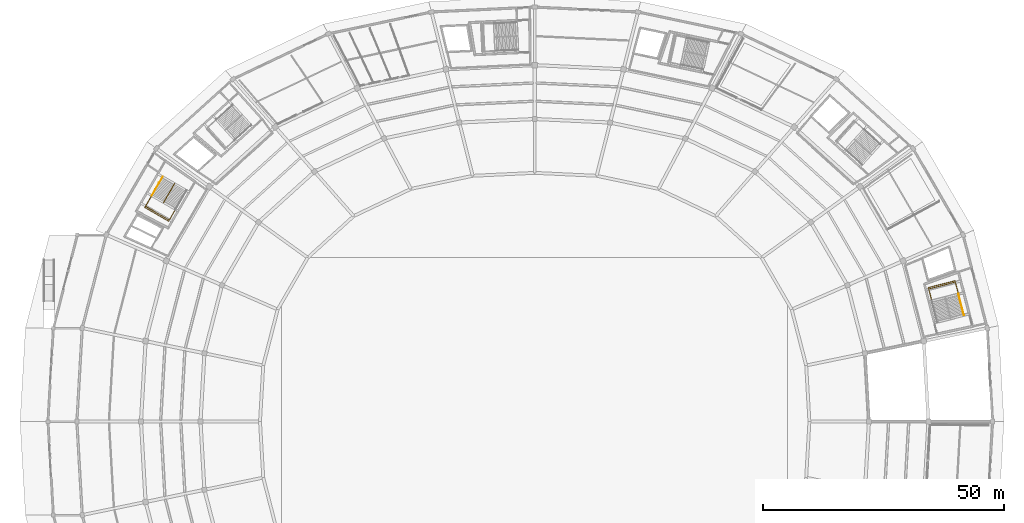
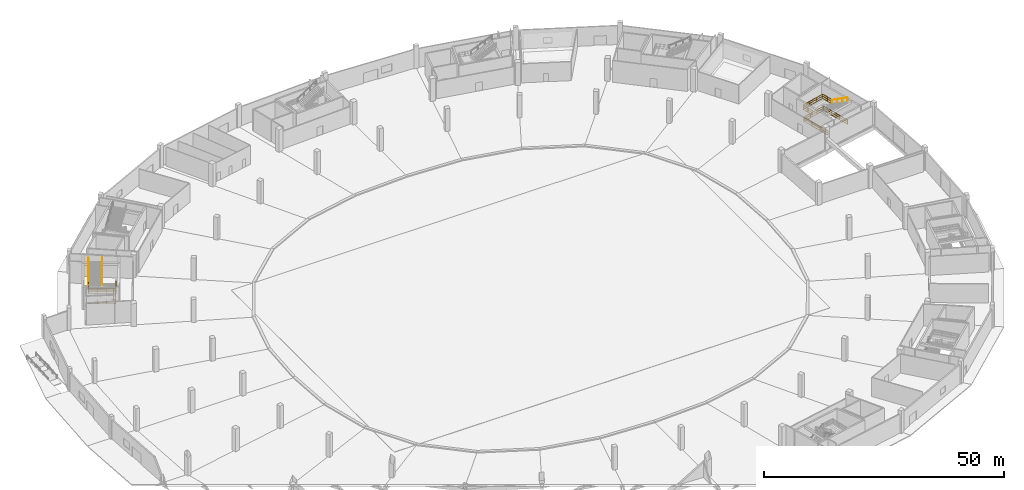
# One storey, part 46 of 48: 7 railings.
"""IFC4 building model written with IfcOpenShell, lengths in metres."""

import ifcopenshell
import ifcopenshell.guid

model = None  # the IFC model being written
_history = None  # IfcOwnerHistory: only IFC2X3 demands one
_inside = {}  # id of a spatial element -> (the spatial element, [elements in it])
_under = {}  # id of a project, library or spatial element -> (it, [spatial elements below it])
_declared = {}  # id of a project -> (the project, [libraries it declares])
_typed = {}  # id of a type object -> (the type object, [elements of that type])
_made_of = {}  # id of a material, layer set ... -> (it, [elements and type objects made of it])


def new_model(schema):
    """Start an empty IFC model of exactly this schema.

    Asked for "IFC4X3", IfcOpenShell would pick the latest addendum, in which some entities
    have other attributes; the version numbers below select the first issue.
    IFC2X3 requires an IfcOwnerHistory on every rooted entity: one is made here for all.
    """
    global model, _history
    if schema == "IFC4X3":
        model = ifcopenshell.file(schema_version=(4, 3, 0, 0))
    else:
        model = ifcopenshell.file(schema=schema)
    _inside.clear()
    _under.clear()
    _declared.clear()
    _typed.clear()
    _made_of.clear()
    _history = None
    if model.schema == "IFC2X3":
        org = make("IfcOrganization", Name="unknown")
        user = make(
            "IfcPersonAndOrganization",
            ThePerson=make("IfcPerson", FamilyName="unknown"),
            TheOrganization=org,
        )
        app = make(
            "IfcApplication",
            ApplicationDeveloper=org,
            Version="unknown",
            ApplicationFullName="unknown",
            ApplicationIdentifier="unknown",
        )
        _history = make(
            "IfcOwnerHistory",
            OwningUser=user,
            OwningApplication=app,
            ChangeAction="ADDED",
            CreationDate=0,
        )
    return model


def make(cls, **values):
    """One entity of the class cls with the attributes given. An attribute that is None is left unset."""
    return model.create_entity(
        cls, **{name: value for name, value in values.items() if value is not None}
    )


def rooted(cls, **values):
    """An entity with a GlobalId (a new one), such as an element, a storey or a relation."""
    return make(cls, GlobalId=ifcopenshell.guid.new(), OwnerHistory=_history, **values)


def si_unit(unit_type, name, prefix=None):
    """IfcSIUnit, for example si_unit("LENGTHUNIT", "METRE", prefix="MILLI")."""
    return make("IfcSIUnit", UnitType=unit_type, Prefix=prefix, Name=name)


def assignment(units):
    """IfcUnitAssignment: the units of a project."""
    return None if units is None else make("IfcUnitAssignment", Units=units)


def point(xyz):
    """IfcCartesianPoint."""
    return None if xyz is None else make("IfcCartesianPoint", Coordinates=xyz)


def direction(xyz):
    """IfcDirection."""
    return None if xyz is None else make("IfcDirection", DirectionRatios=xyz)


def frame(location, z_axis=None, x_axis=None):
    """IfcAxis2Placement3D, a coordinate frame: its origin and axes. An axis left out is left unset."""
    return make(
        "IfcAxis2Placement3D",
        Location=point(location),
        Axis=direction(z_axis),
        RefDirection=direction(x_axis),
    )


def frame_2d(location, x_axis=None):
    """IfcAxis2Placement2D, a coordinate frame in the plane: its origin and x axis."""
    return make(
        "IfcAxis2Placement2D", Location=point(location), RefDirection=direction(x_axis)
    )


def origin():
    """The frame at (0, 0, 0) with its axes left unset."""
    return frame((0.0, 0.0, 0.0))


def origin_2d():
    """The frame at (0, 0) in the plane with its x axis left unset."""
    return frame_2d((0.0, 0.0))


def place(relative_to, where):
    """IfcLocalPlacement: puts the frame where relative to a parent placement (None: the world)."""
    return make(
        "IfcLocalPlacement", PlacementRelTo=relative_to, RelativePlacement=where
    )


def context(
    kind, dimensions, precision=None, world=None, true_north=None, identifier=None
):
    """IfcGeometricRepresentationContext, for example the 3D "Model" context."""
    return make(
        "IfcGeometricRepresentationContext",
        ContextIdentifier=identifier,
        ContextType=kind,
        CoordinateSpaceDimension=dimensions,
        Precision=precision,
        WorldCoordinateSystem=world,
        TrueNorth=true_north,
    )


def subcontext(parent, identifier, kind, view, scale=None):
    """IfcGeometricRepresentationSubContext, for example "Body" below "Model"."""
    return make(
        "IfcGeometricRepresentationSubContext",
        ContextIdentifier=identifier,
        ContextType=kind,
        ParentContext=parent,
        TargetScale=scale,
        TargetView=view,
    )


def project(units=None, contexts=None):
    """IfcProject with its units and contexts."""
    return rooted(
        "IfcProject",
        Name="project",
        RepresentationContexts=contexts,
        UnitsInContext=assignment(units),
    )


def spatial(cls, under=None, at=None, **own):
    """A site, building, storey or space (cls), placed at a placement, below another one or the project."""
    s = rooted(cls, ObjectPlacement=at, **own)
    if under is not None:
        _under.setdefault(under.id(), (under, []))[1].append(s)
    return s


def profile(cls, at=None, kind="AREA", **sizes):
    """A parametric profile (cls). Its sizes go by their IFC names, for example OverallWidth=200.0."""
    return make(cls, ProfileType=kind, Position=at, **sizes)


def rectangle(**sizes):
    """IfcRectangleProfileDef."""
    return profile("IfcRectangleProfileDef", **sizes)


def extrude(swept, where, along, depth):
    """IfcExtrudedAreaSolid: the profile swept, set in the frame where, extruded along a direction by depth."""
    return make(
        "IfcExtrudedAreaSolid",
        SweptArea=swept,
        Position=where,
        ExtrudedDirection=direction(along),
        Depth=depth,
    )


def shape(context_of_items, identifier, shape_type, items):
    """IfcShapeRepresentation: the items that make up one representation, for example the "Body"."""
    return make(
        "IfcShapeRepresentation",
        ContextOfItems=context_of_items,
        RepresentationIdentifier=identifier,
        RepresentationType=shape_type,
        Items=items,
    )


def material(Name=None, Category=None):
    """IfcMaterial."""
    return make("IfcMaterial", Name=Name, Category=Category)


def made_of(thing, what):
    """Note that an element or type object is made of a material, layer set ...; save() writes the relation."""
    if what is not None:
        _made_of.setdefault(what.id(), (what, []))[1].append(thing)
    return thing


def type_object(cls, material=None, **own):
    """A type object (cls), such as IfcWallType, which elements share."""
    return made_of(rooted(cls, **own), material)


def element(
    cls,
    number,
    at=None,
    inside=None,
    cuts=None,
    type_object=None,
    material=None,
    context=None,
    identifier="Body",
    shape_type=None,
    held_by="IfcProductDefinitionShape",
    body=None,
    shapes=None,
    **own,
):
    """One element of the class cls, such as IfcWall. Its Tag is "e" and its number.

    at: its placement. inside: the storey or other place that contains it. cuts: it is an
    opening in that element (IfcRelVoidsElement). A single representation is given by context,
    identifier, shape_type and body (its items); several are given by shapes. held_by: the class
    of the entity that holds the representations. save() writes the other relations.
    """
    e = rooted(cls, Tag="e%d" % number, ObjectPlacement=at, **own)
    if body is not None:
        shapes = [shape(context, identifier, shape_type, body)]
    if shapes is not None:
        e.Representation = make(held_by, Representations=shapes)
    if inside is not None:
        _inside.setdefault(inside.id(), (inside, []))[1].append(e)
    if cuts is not None:
        rooted(
            "IfcRelVoidsElement", RelatingBuildingElement=cuts, RelatedOpeningElement=e
        )
    if type_object is not None:
        _typed.setdefault(type_object.id(), (type_object, []))[1].append(e)
    return made_of(e, material)


def aggregate(whole, parts):
    """IfcRelAggregates: a whole, such as a stair, and the parts it consists of."""
    return rooted("IfcRelAggregates", RelatingObject=whole, RelatedObjects=parts)


def save(model, path):
    """Write the relations noted so far, then the file.

    IfcRelAggregates (storeys below a building ...), IfcRelContainedInSpatialStructure (elements
    in a storey), IfcRelDefinesByType, IfcRelAssociatesMaterial and IfcRelDeclares: one each for
    every whole, place, type object, material and project.
    """
    for whole, parts in _under.values():
        aggregate(whole, parts)
    for where, things in _inside.values():
        rooted(
            "IfcRelContainedInSpatialStructure",
            RelatedElements=things,
            RelatingStructure=where,
        )
    for kind, things in _typed.values():
        rooted("IfcRelDefinesByType", RelatedObjects=things, RelatingType=kind)
    for what, things in _made_of.values():
        rooted("IfcRelAssociatesMaterial", RelatedObjects=things, RelatingMaterial=what)
    for by, libraries in _declared.values():
        rooted("IfcRelDeclares", RelatingContext=by, RelatedDefinitions=libraries)
    model.write(path)


model = new_model("IFC4")

# Units and contexts
model_context = context("Model", 3, precision=1e-05, world=origin(), true_north=direction((0.0, 1.0)))
body_context = subcontext(model_context, "Body", "Model", "MODEL_VIEW")
ifc_project = project(units=[si_unit("LENGTHUNIT", "METRE"), si_unit("AREAUNIT", "SQUARE_METRE"), si_unit("VOLUMEUNIT", "CUBIC_METRE"), si_unit("PLANEANGLEUNIT", "RADIAN"), si_unit("MASSUNIT", "GRAM", prefix="KILO")], contexts=[model_context])

# Site, building, storey
site_placement = place(None, origin())
site = spatial("IfcSite", under=ifc_project, at=site_placement, CompositionType="ELEMENT")
building_placement = place(site_placement, origin())
building = spatial("IfcBuilding", under=site, at=building_placement, Name="Kazemori Nagisa Stadium", CompositionType="ELEMENT")
storey_placement = place(building_placement, origin())
storey = spatial("IfcBuildingStorey", under=building, at=storey_placement, Name="L00", CompositionType="ELEMENT", Elevation=0.0)

# Railings
ifc_material_1 = material(Name="Galvanised powder-coated steel", Category="steel")
railing_type_1 = type_object("IfcRailingType", Name="Rail_GUARD", PredefinedType="GUARDRAIL", material=ifc_material_1)
railing_1_placement = place(storey_placement, frame((206.533447265625, 122.641357421875, 0.0)))
element("IfcRailing", 1, at=railing_1_placement, inside=storey, type_object=railing_type_1, Name="Stair well perimeter guard ST07-L00", PredefinedType="GUARDRAIL", context=body_context, shape_type="SweptSolid", body=[
    extrude(rectangle(XDim=0.050048828125, YDim=0.050048828125, at=origin_2d()), frame((0.0, 0.0, 1.09521484375), z_axis=(-0.249952947759, 0.968257984169, 0.0), x_axis=(-0.968257984169, -0.249952947759, 0.0)), (0.0, 0.0, 1.0), 7.094970703125),
    extrude(rectangle(XDim=0.03759765625, YDim=0.03759765625, at=origin_2d()), frame((0.0, 0.0, 0.58251953125), z_axis=(-0.249952947759, 0.968257984169, 0.0), x_axis=(-0.968257984169, -0.249952947759, 0.0)), (0.0, 0.0, 1.0), 7.094970703125),
    extrude(rectangle(XDim=0.03759765625, YDim=0.03759765625, at=origin_2d()), frame((0.0, 0.0, 0.02490234375), z_axis=(-0.249952947759, 0.968257984169, 0.0), x_axis=(-0.968257984169, -0.249952947759, 0.0)), (0.0, 0.0, 1.0), 7.094970703125),
    extrude(rectangle(XDim=0.050048828125, YDim=0.050048828125, at=origin_2d()), frame((-1.7734375, 6.869873046875, 1.09521484375), z_axis=(0.968254587534, 0.249966105142, 0.0), x_axis=(-0.249966105142, 0.968254587534, 0.0)), (0.0, 0.0, 1.0), 5.699951171875),
    extrude(rectangle(XDim=0.03759765625, YDim=0.03759765625, at=origin_2d()), frame((-1.7734375, 6.869873046875, 0.58251953125), z_axis=(0.968254587534, 0.249966105142, 0.0), x_axis=(-0.249966105142, 0.968254587534, 0.0)), (0.0, 0.0, 1.0), 5.699951171875),
    extrude(rectangle(XDim=0.03759765625, YDim=0.03759765625, at=origin_2d()), frame((-1.7734375, 6.869873046875, 0.02490234375), z_axis=(0.968254587534, 0.249966105142, 0.0), x_axis=(-0.249966105142, 0.968254587534, 0.0)), (0.0, 0.0, 1.0), 5.699951171875),
    extrude(rectangle(XDim=0.050048828125, YDim=0.050048828125, at=origin_2d()), frame((3.74560546875, 8.294677734375, 1.09521484375), z_axis=(0.249952947759, -0.968257984169, 0.0), x_axis=(0.968257984169, 0.249952947759, 0.0)), (0.0, 0.0, 1.0), 7.094970703125),
    extrude(rectangle(XDim=0.03759765625, YDim=0.03759765625, at=origin_2d()), frame((3.74560546875, 8.294677734375, 0.58251953125), z_axis=(0.249952947759, -0.968257984169, 0.0), x_axis=(0.968257984169, 0.249952947759, 0.0)), (0.0, 0.0, 1.0), 7.094970703125),
    extrude(rectangle(XDim=0.03759765625, YDim=0.03759765625, at=origin_2d()), frame((3.74560546875, 8.294677734375, 0.02490234375), z_axis=(0.249952947759, -0.968257984169, 0.0), x_axis=(0.968257984169, 0.249952947759, 0.0)), (0.0, 0.0, 1.0), 7.094970703125),
    extrude(rectangle(XDim=0.044921875, YDim=0.044921875, at=origin_2d()), origin(), (0.0, 0.0, 1.0), 1.070068359375),
    extrude(rectangle(XDim=0.044921875, YDim=0.044921875, at=origin_2d()), frame((-0.591064453125, 2.2900390625, 0.0)), (0.0, 0.0, 1.0), 1.070068359375),
    extrude(rectangle(XDim=0.044921875, YDim=0.044921875, at=origin_2d()), frame((-1.182373046875, 4.579833984375, 0.0)), (0.0, 0.0, 1.0), 1.070068359375),
    extrude(rectangle(XDim=0.044921875, YDim=0.044921875, at=origin_2d()), frame((-1.7734375, 6.869873046875, 0.0)), (0.0, 0.0, 1.0), 1.070068359375),
    extrude(rectangle(XDim=0.044921875, YDim=0.044921875, at=origin_2d()), frame((0.066162109375, 7.3447265625, 0.0)), (0.0, 0.0, 1.0), 1.070068359375),
    extrude(rectangle(XDim=0.044921875, YDim=0.044921875, at=origin_2d()), frame((1.906005859375, 7.81982421875, 0.0)), (0.0, 0.0, 1.0), 1.070068359375),
    extrude(rectangle(XDim=0.044921875, YDim=0.044921875, at=origin_2d()), frame((3.74560546875, 8.294677734375, 0.0)), (0.0, 0.0, 1.0), 1.070068359375),
    extrude(rectangle(XDim=0.044921875, YDim=0.044921875, at=origin_2d()), frame((4.336669921875, 6.004638671875, 0.0)), (0.0, 0.0, 1.0), 1.070068359375),
    extrude(rectangle(XDim=0.044921875, YDim=0.044921875, at=origin_2d()), frame((4.927978515625, 3.71484375, 0.0)), (0.0, 0.0, 1.0), 1.070068359375),
    extrude(rectangle(XDim=0.044921875, YDim=0.044921875, at=origin_2d()), frame((5.51904296875, 1.4248046875, 0.0)), (0.0, 0.0, 1.0), 1.070068359375),
])
railing_2_placement = place(storey_placement, frame((205.401123046875, 127.027587890625, 2.889892578125)))
element("IfcRailing", 2, at=railing_2_placement, inside=storey, type_object=railing_type_1, Name="Stair landing guard ST07-L00", PredefinedType="GUARDRAIL", context=body_context, shape_type="SweptSolid", body=[
    extrude(rectangle(XDim=0.050048828125, YDim=0.050048828125, at=origin_2d()), frame((0.0, 0.0, 1.09521484375), z_axis=(-0.249966105142, 0.968254587534, 0.0), x_axis=(-0.968254587534, -0.249966105142, 0.0)), (0.0, 0.0, 1.0), 2.85009765625),
    extrude(rectangle(XDim=0.03759765625, YDim=0.03759765625, at=origin_2d()), frame((0.0, 0.0, 0.58251953125), z_axis=(-0.249966105142, 0.968254587534, 0.0), x_axis=(-0.968254587534, -0.249966105142, 0.0)), (0.0, 0.0, 1.0), 2.85009765625),
    extrude(rectangle(XDim=0.03759765625, YDim=0.03759765625, at=origin_2d()), frame((0.0, 0.0, 0.02490234375), z_axis=(-0.249966105142, 0.968254587534, 0.0), x_axis=(-0.968254587534, -0.249966105142, 0.0)), (0.0, 0.0, 1.0), 2.85009765625),
    extrude(rectangle(XDim=0.050048828125, YDim=0.050048828125, at=origin_2d()), frame((-0.71240234375, 2.759521484375, 1.09521484375), z_axis=(0.968254587534, 0.249966105142, 0.0), x_axis=(-0.249966105142, 0.968254587534, 0.0)), (0.0, 0.0, 1.0), 5.699951171875),
    extrude(rectangle(XDim=0.03759765625, YDim=0.03759765625, at=origin_2d()), frame((-0.71240234375, 2.759521484375, 0.58251953125), z_axis=(0.968254587534, 0.249966105142, 0.0), x_axis=(-0.249966105142, 0.968254587534, 0.0)), (0.0, 0.0, 1.0), 5.699951171875),
    extrude(rectangle(XDim=0.03759765625, YDim=0.03759765625, at=origin_2d()), frame((-0.71240234375, 2.759521484375, 0.02490234375), z_axis=(0.968254587534, 0.249966105142, 0.0), x_axis=(-0.249966105142, 0.968254587534, 0.0)), (0.0, 0.0, 1.0), 5.699951171875),
    extrude(rectangle(XDim=0.050048828125, YDim=0.050048828125, at=origin_2d()), frame((4.806640625, 4.184326171875, 1.09521484375), z_axis=(0.249966105142, -0.968254587534, 0.0), x_axis=(0.968254587534, 0.249966105142, 0.0)), (0.0, 0.0, 1.0), 2.85009765625),
    extrude(rectangle(XDim=0.03759765625, YDim=0.03759765625, at=origin_2d()), frame((4.806640625, 4.184326171875, 0.58251953125), z_axis=(0.249966105142, -0.968254587534, 0.0), x_axis=(0.968254587534, 0.249966105142, 0.0)), (0.0, 0.0, 1.0), 2.85009765625),
    extrude(rectangle(XDim=0.03759765625, YDim=0.03759765625, at=origin_2d()), frame((4.806640625, 4.184326171875, 0.02490234375), z_axis=(0.249966105142, -0.968254587534, 0.0), x_axis=(0.968254587534, 0.249966105142, 0.0)), (0.0, 0.0, 1.0), 2.85009765625),
    extrude(rectangle(XDim=0.044921875, YDim=0.044921875, at=origin_2d()), origin(), (0.0, 0.0, 1.0), 1.070068359375),
    extrude(rectangle(XDim=0.044921875, YDim=0.044921875, at=origin_2d()), frame((-0.356201171875, 1.3798828125, 0.0)), (0.0, 0.0, 1.0), 1.070068359375),
    extrude(rectangle(XDim=0.044921875, YDim=0.044921875, at=origin_2d()), frame((-0.71240234375, 2.759521484375, 0.0)), (0.0, 0.0, 1.0), 1.070068359375),
    extrude(rectangle(XDim=0.044921875, YDim=0.044921875, at=origin_2d()), frame((1.127197265625, 3.234375, 0.0)), (0.0, 0.0, 1.0), 1.070068359375),
    extrude(rectangle(XDim=0.044921875, YDim=0.044921875, at=origin_2d()), frame((2.967041015625, 3.70947265625, 0.0)), (0.0, 0.0, 1.0), 1.070068359375),
    extrude(rectangle(XDim=0.044921875, YDim=0.044921875, at=origin_2d()), frame((4.806640625, 4.184326171875, 0.0)), (0.0, 0.0, 1.0), 1.070068359375),
    extrude(rectangle(XDim=0.044921875, YDim=0.044921875, at=origin_2d()), frame((5.162841796875, 2.8046875, 0.0)), (0.0, 0.0, 1.0), 1.070068359375),
    extrude(rectangle(XDim=0.044921875, YDim=0.044921875, at=origin_2d()), frame((5.51904296875, 1.4248046875, 0.0)), (0.0, 0.0, 1.0), 1.070068359375),
])
railing_3_placement = place(storey_placement, frame((50.736083984375, 149.940673828125, 0.0)))
element("IfcRailing", 3, at=railing_3_placement, inside=storey, type_object=railing_type_1, Name="Stair well perimeter guard ST08-L00", PredefinedType="GUARDRAIL", context=body_context, shape_type="SweptSolid", body=[
    extrude(rectangle(XDim=0.050048828125, YDim=0.050048828125, at=origin_2d()), frame((0.0, 0.0, 1.09521484375), z_axis=(-0.501595007813, -0.865102565097, 0.0), x_axis=(0.865102565097, -0.501595007813, 0.0)), (0.0, 0.0, 1.0), 7.094970703125),
    extrude(rectangle(XDim=0.03759765625, YDim=0.03759765625, at=origin_2d()), frame((0.0, 0.0, 0.58251953125), z_axis=(-0.501595007813, -0.865102565097, 0.0), x_axis=(0.865102565097, -0.501595007813, 0.0)), (0.0, 0.0, 1.0), 7.094970703125),
    extrude(rectangle(XDim=0.03759765625, YDim=0.03759765625, at=origin_2d()), frame((0.0, 0.0, 0.02490234375), z_axis=(-0.501595007813, -0.865102565097, 0.0), x_axis=(0.865102565097, -0.501595007813, 0.0)), (0.0, 0.0, 1.0), 7.094970703125),
    extrude(rectangle(XDim=0.050048828125, YDim=0.050048828125, at=origin_2d()), frame((-3.558837890625, -6.137939453125, 1.09521484375), z_axis=(-0.865102561401, 0.501595014188, 0.0), x_axis=(-0.501595014188, -0.865102561401, 0.0)), (0.0, 0.0, 1.0), 5.7001953125),
    extrude(rectangle(XDim=0.03759765625, YDim=0.03759765625, at=origin_2d()), frame((-3.558837890625, -6.137939453125, 0.58251953125), z_axis=(-0.865102561401, 0.501595014188, 0.0), x_axis=(-0.501595014188, -0.865102561401, 0.0)), (0.0, 0.0, 1.0), 5.7001953125),
    extrude(rectangle(XDim=0.03759765625, YDim=0.03759765625, at=origin_2d()), frame((-3.558837890625, -6.137939453125, 0.02490234375), z_axis=(-0.865102561401, 0.501595014188, 0.0), x_axis=(-0.501595014188, -0.865102561401, 0.0)), (0.0, 0.0, 1.0), 5.7001953125),
    extrude(rectangle(XDim=0.050048828125, YDim=0.050048828125, at=origin_2d()), frame((-8.489990234375, -3.27880859375, 1.09521484375), z_axis=(0.501620759697, 0.865087633388, 0.0), x_axis=(-0.865087633388, 0.501620759697, 0.0)), (0.0, 0.0, 1.0), 7.09521484375),
    extrude(rectangle(XDim=0.03759765625, YDim=0.03759765625, at=origin_2d()), frame((-8.489990234375, -3.27880859375, 0.58251953125), z_axis=(0.501620759697, 0.865087633388, 0.0), x_axis=(-0.865087633388, 0.501620759697, 0.0)), (0.0, 0.0, 1.0), 7.09521484375),
    extrude(rectangle(XDim=0.03759765625, YDim=0.03759765625, at=origin_2d()), frame((-8.489990234375, -3.27880859375, 0.02490234375), z_axis=(0.501620759697, 0.865087633388, 0.0), x_axis=(-0.865087633388, 0.501620759697, 0.0)), (0.0, 0.0, 1.0), 7.09521484375),
    extrude(rectangle(XDim=0.044921875, YDim=0.044921875, at=origin_2d()), origin(), (0.0, 0.0, 1.0), 1.070068359375),
    extrude(rectangle(XDim=0.044921875, YDim=0.044921875, at=origin_2d()), frame((-1.186279296875, -2.0458984375, 0.0)), (0.0, 0.0, 1.0), 1.070068359375),
    extrude(rectangle(XDim=0.044921875, YDim=0.044921875, at=origin_2d()), frame((-2.37255859375, -4.092041015625, 0.0)), (0.0, 0.0, 1.0), 1.070068359375),
    extrude(rectangle(XDim=0.044921875, YDim=0.044921875, at=origin_2d()), frame((-3.558837890625, -6.137939453125, 0.0)), (0.0, 0.0, 1.0), 1.070068359375),
    extrude(rectangle(XDim=0.044921875, YDim=0.044921875, at=origin_2d()), frame((-5.20263671875, -5.184814453125, 0.0)), (0.0, 0.0, 1.0), 1.070068359375),
    extrude(rectangle(XDim=0.044921875, YDim=0.044921875, at=origin_2d()), frame((-6.84619140625, -4.23193359375, 0.0)), (0.0, 0.0, 1.0), 1.070068359375),
    extrude(rectangle(XDim=0.044921875, YDim=0.044921875, at=origin_2d()), frame((-8.489990234375, -3.27880859375, 0.0)), (0.0, 0.0, 1.0), 1.070068359375),
    extrude(rectangle(XDim=0.044921875, YDim=0.044921875, at=origin_2d()), frame((-7.3037109375, -1.23291015625, 0.0)), (0.0, 0.0, 1.0), 1.070068359375),
    extrude(rectangle(XDim=0.044921875, YDim=0.044921875, at=origin_2d()), frame((-6.1171875, 0.813232421875, 0.0)), (0.0, 0.0, 1.0), 1.070068359375),
    extrude(rectangle(XDim=0.044921875, YDim=0.044921875, at=origin_2d()), frame((-4.930908203125, 2.859130859375, 0.0)), (0.0, 0.0, 1.0), 1.070068359375),
])
railing_4_placement = place(storey_placement, frame((48.310791015625, 151.439453125, 0.0)))
element("IfcRailing", 4, at=railing_4_placement, inside=storey, type_object=railing_type_1, Name="Stair central guard ST08-L00", PredefinedType="GUARDRAIL", context=body_context, shape_type="SweptSolid", body=[
    extrude(rectangle(XDim=0.050048828125, YDim=0.050048828125, at=origin_2d()), frame((0.0, 0.0, 1.09521484375), z_axis=(-0.425006306953, -0.732992296282, 0.53112327443), x_axis=(0.865097373395, -0.501603961851, 0.0)), (0.0, 0.0, 1.0), 5.441162109375),
    extrude(rectangle(XDim=0.03759765625, YDim=0.03759765625, at=origin_2d()), frame((0.0, 0.0, 0.58251953125), z_axis=(-0.425006306953, -0.732992296282, 0.53112327443), x_axis=(0.865097373395, -0.501603961851, 0.0)), (0.0, 0.0, 1.0), 5.441162109375),
    extrude(rectangle(XDim=0.03759765625, YDim=0.03759765625, at=origin_2d()), frame((0.0, 0.0, 0.02490234375), z_axis=(-0.425006306953, -0.732992296282, 0.53112327443), x_axis=(0.865097373395, -0.501603961851, 0.0)), (0.0, 0.0, 1.0), 5.441162109375),
    extrude(rectangle(XDim=0.050048828125, YDim=0.050048828125, at=origin_2d()), frame((-2.3125, -3.98828125, 3.98486328125), z_axis=(0.422859752865, 0.729316079616, 0.537854706609), x_axis=(-0.865105092449, 0.501590648855, 0.0)), (0.0, 0.0, 1.0), 5.37353515625),
    extrude(rectangle(XDim=0.03759765625, YDim=0.03759765625, at=origin_2d()), frame((-2.3125, -3.98828125, 3.472412109375), z_axis=(0.422859752865, 0.729316079616, 0.537854706609), x_axis=(-0.865105092449, 0.501590648855, 0.0)), (0.0, 0.0, 1.0), 5.37353515625),
    extrude(rectangle(XDim=0.03759765625, YDim=0.03759765625, at=origin_2d()), frame((-2.3125, -3.98828125, 2.9150390625), z_axis=(0.422859752865, 0.729316079616, 0.537854706609), x_axis=(-0.865105092449, 0.501590648855, 0.0)), (0.0, 0.0, 1.0), 5.37353515625),
    extrude(rectangle(XDim=0.044921875, YDim=0.044921875, at=origin_2d()), origin(), (0.0, 0.0, 1.0), 1.070068359375),
    extrude(rectangle(XDim=0.044921875, YDim=0.044921875, at=origin_2d()), frame((-0.770751953125, -1.329345703125, 0.96337890625)), (0.0, 0.0, 1.0), 1.070068359375),
    extrude(rectangle(XDim=0.044921875, YDim=0.044921875, at=origin_2d()), frame((-1.541748046875, -2.658935546875, 1.926513671875)), (0.0, 0.0, 1.0), 1.070068359375),
    extrude(rectangle(XDim=0.044921875, YDim=0.044921875, at=origin_2d()), frame((-2.3125, -3.98828125, 2.889892578125)), (0.0, 0.0, 1.0), 1.070068359375),
    extrude(rectangle(XDim=0.044921875, YDim=0.044921875, at=origin_2d()), frame((-1.55517578125, -2.681884765625, 3.853271484375)), (0.0, 0.0, 1.0), 1.070068359375),
    extrude(rectangle(XDim=0.044921875, YDim=0.044921875, at=origin_2d()), frame((-0.797607421875, -1.375732421875, 4.816650390625)), (0.0, 0.0, 1.0), 1.070068359375),
    extrude(rectangle(XDim=0.044921875, YDim=0.044921875, at=origin_2d()), frame((-0.040283203125, -0.0693359375, 5.780029296875)), (0.0, 0.0, 1.0), 1.070068359375),
])
railing_5_placement = place(storey_placement, frame((48.4638671875, 146.021728515625, 2.889892578125)))
element("IfcRailing", 5, at=railing_5_placement, inside=storey, type_object=railing_type_1, Name="Stair landing guard ST08-L00", PredefinedType="GUARDRAIL", context=body_context, shape_type="SweptSolid", body=[
    extrude(rectangle(XDim=0.050048828125, YDim=0.050048828125, at=origin_2d()), frame((0.0, 0.0, 1.09521484375), z_axis=(-0.501627068055, -0.865083975458, 0.0), x_axis=(0.865083975458, -0.501627068055, 0.0)), (0.0, 0.0, 1.0), 2.85009765625),
    extrude(rectangle(XDim=0.03759765625, YDim=0.03759765625, at=origin_2d()), frame((0.0, 0.0, 0.58251953125), z_axis=(-0.501627068055, -0.865083975458, 0.0), x_axis=(0.865083975458, -0.501627068055, 0.0)), (0.0, 0.0, 1.0), 2.85009765625),
    extrude(rectangle(XDim=0.03759765625, YDim=0.03759765625, at=origin_2d()), frame((0.0, 0.0, 0.02490234375), z_axis=(-0.501627068055, -0.865083975458, 0.0), x_axis=(0.865083975458, -0.501627068055, 0.0)), (0.0, 0.0, 1.0), 2.85009765625),
    extrude(rectangle(XDim=0.050048828125, YDim=0.050048828125, at=origin_2d()), frame((-1.4296875, -2.465576171875, 1.09521484375), z_axis=(-0.865091784601, 0.501613600508, 0.0), x_axis=(-0.501613600508, -0.865091784601, 0.0)), (0.0, 0.0, 1.0), 5.699951171875),
    extrude(rectangle(XDim=0.03759765625, YDim=0.03759765625, at=origin_2d()), frame((-1.4296875, -2.465576171875, 0.58251953125), z_axis=(-0.865091784601, 0.501613600508, 0.0), x_axis=(-0.501613600508, -0.865091784601, 0.0)), (0.0, 0.0, 1.0), 5.699951171875),
    extrude(rectangle(XDim=0.03759765625, YDim=0.03759765625, at=origin_2d()), frame((-1.4296875, -2.465576171875, 0.02490234375), z_axis=(-0.865091784601, 0.501613600508, 0.0), x_axis=(-0.501613600508, -0.865091784601, 0.0)), (0.0, 0.0, 1.0), 5.699951171875),
    extrude(rectangle(XDim=0.050048828125, YDim=0.050048828125, at=origin_2d()), frame((-6.360595703125, 0.3935546875, 1.09521484375), z_axis=(0.501562958255, 0.865121146954, 0.0), x_axis=(-0.865121146954, 0.501562958255, 0.0)), (0.0, 0.0, 1.0), 2.85009765625),
    extrude(rectangle(XDim=0.03759765625, YDim=0.03759765625, at=origin_2d()), frame((-6.360595703125, 0.3935546875, 0.58251953125), z_axis=(0.501562958255, 0.865121146954, 0.0), x_axis=(-0.865121146954, 0.501562958255, 0.0)), (0.0, 0.0, 1.0), 2.85009765625),
    extrude(rectangle(XDim=0.03759765625, YDim=0.03759765625, at=origin_2d()), frame((-6.360595703125, 0.3935546875, 0.02490234375), z_axis=(0.501562958255, 0.865121146954, 0.0), x_axis=(-0.865121146954, 0.501562958255, 0.0)), (0.0, 0.0, 1.0), 2.85009765625),
    extrude(rectangle(XDim=0.044921875, YDim=0.044921875, at=origin_2d()), origin(), (0.0, 0.0, 1.0), 1.070068359375),
    extrude(rectangle(XDim=0.044921875, YDim=0.044921875, at=origin_2d()), frame((-0.71484375, -1.23291015625, 0.0)), (0.0, 0.0, 1.0), 1.070068359375),
    extrude(rectangle(XDim=0.044921875, YDim=0.044921875, at=origin_2d()), frame((-1.4296875, -2.465576171875, 0.0)), (0.0, 0.0, 1.0), 1.070068359375),
    extrude(rectangle(XDim=0.044921875, YDim=0.044921875, at=origin_2d()), frame((-3.0732421875, -1.512451171875, 0.0)), (0.0, 0.0, 1.0), 1.070068359375),
    extrude(rectangle(XDim=0.044921875, YDim=0.044921875, at=origin_2d()), frame((-4.717041015625, -0.5595703125, 0.0)), (0.0, 0.0, 1.0), 1.070068359375),
    extrude(rectangle(XDim=0.044921875, YDim=0.044921875, at=origin_2d()), frame((-6.360595703125, 0.3935546875, 0.0)), (0.0, 0.0, 1.0), 1.070068359375),
    extrude(rectangle(XDim=0.044921875, YDim=0.044921875, at=origin_2d()), frame((-5.64599609375, 1.62646484375, 0.0)), (0.0, 0.0, 1.0), 1.070068359375),
    extrude(rectangle(XDim=0.044921875, YDim=0.044921875, at=origin_2d()), frame((-4.93115234375, 2.859130859375, 0.0)), (0.0, 0.0, 1.0), 1.070068359375),
])
ifc_material_2 = material(Name="Stainless steel SUS304", Category="steel")
railing_type_2 = type_object("IfcRailingType", Name="Rail_HAND", PredefinedType="HANDRAIL", material=ifc_material_2)
railing_6_placement = place(storey_placement, frame((210.920166015625, 128.452392578125, 3.06005859375)))
element("IfcRailing", 6, at=railing_6_placement, inside=storey, type_object=railing_type_2, Name="Stair handrail ST07-L00-F2", PredefinedType="HANDRAIL", context=body_context, shape_type="SweptSolid", body=[
    extrude(rectangle(XDim=0.050048828125, YDim=0.050048828125, at=origin_2d()), frame((0.0, 0.0, 0.875), z_axis=(0.210730518523, -0.816296786499, 0.537821722241), x_axis=(0.968256288547, 0.249959516102, 0.0)), (0.0, 0.0, 1.0), 5.373291015625),
    extrude(rectangle(XDim=0.044921875, YDim=0.044921875, at=origin_2d()), origin(), (0.0, 0.0, 1.0), 0.849853515625),
    extrude(rectangle(XDim=0.044921875, YDim=0.044921875, at=origin_2d()), frame((0.37744140625, -1.462158203125, 0.96337890625)), (0.0, 0.0, 1.0), 0.849853515625),
    extrude(rectangle(XDim=0.044921875, YDim=0.044921875, at=origin_2d()), frame((0.7548828125, -2.924072265625, 1.926513671875)), (0.0, 0.0, 1.0), 0.849853515625),
    extrude(rectangle(XDim=0.044921875, YDim=0.044921875, at=origin_2d()), frame((1.13232421875, -4.38623046875, 2.889892578125)), (0.0, 0.0, 1.0), 0.849853515625),
])
railing_7_placement = place(storey_placement, frame((43.53271484375, 148.880859375, 3.06005859375)))
element("IfcRailing", 7, at=railing_7_placement, inside=storey, type_object=railing_type_2, Name="Stair handrail ST08-L00-F2", PredefinedType="HANDRAIL", context=body_context, shape_type="SweptSolid", body=[
    extrude(rectangle(XDim=0.050048828125, YDim=0.050048828125, at=origin_2d()), frame((0.0, 0.0, 0.875), z_axis=(0.422907396175, 0.729319888633, 0.537812080847), x_axis=(-0.865081706029, 0.501630981792, 0.0)), (0.0, 0.0, 1.0), 5.37353515625),
    extrude(rectangle(XDim=0.044921875, YDim=0.044921875, at=origin_2d()), origin(), (0.0, 0.0, 1.0), 0.849853515625),
    extrude(rectangle(XDim=0.044921875, YDim=0.044921875, at=origin_2d()), frame((0.757568359375, 1.306396484375, 0.96337890625)), (0.0, 0.0, 1.0), 0.849853515625),
    extrude(rectangle(XDim=0.044921875, YDim=0.044921875, at=origin_2d()), frame((1.514892578125, 2.612548828125, 1.926513671875)), (0.0, 0.0, 1.0), 0.849853515625),
    extrude(rectangle(XDim=0.044921875, YDim=0.044921875, at=origin_2d()), frame((2.2724609375, 3.9189453125, 2.889892578125)), (0.0, 0.0, 1.0), 0.849853515625),
])

save(model, "model.ifc")
